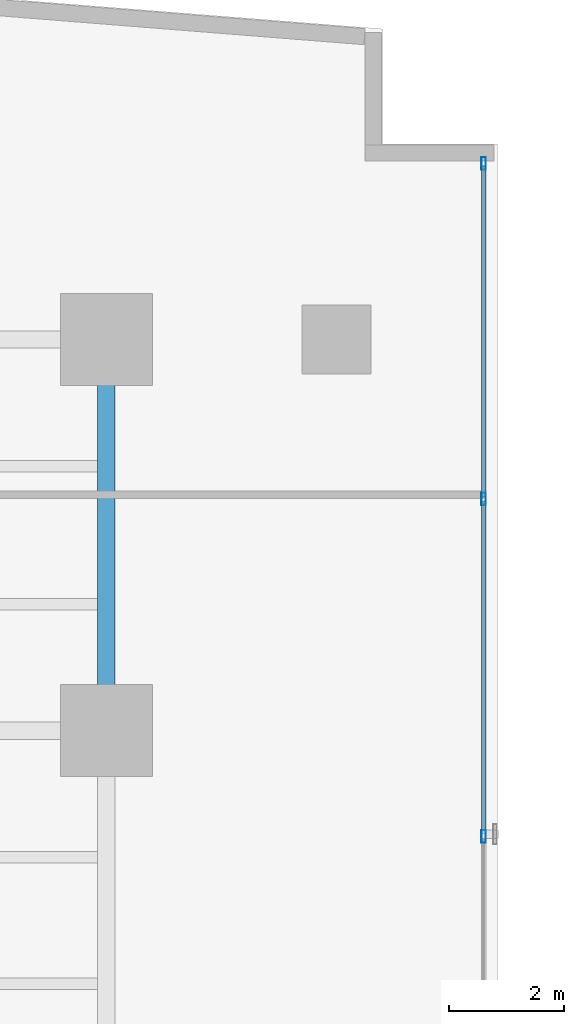
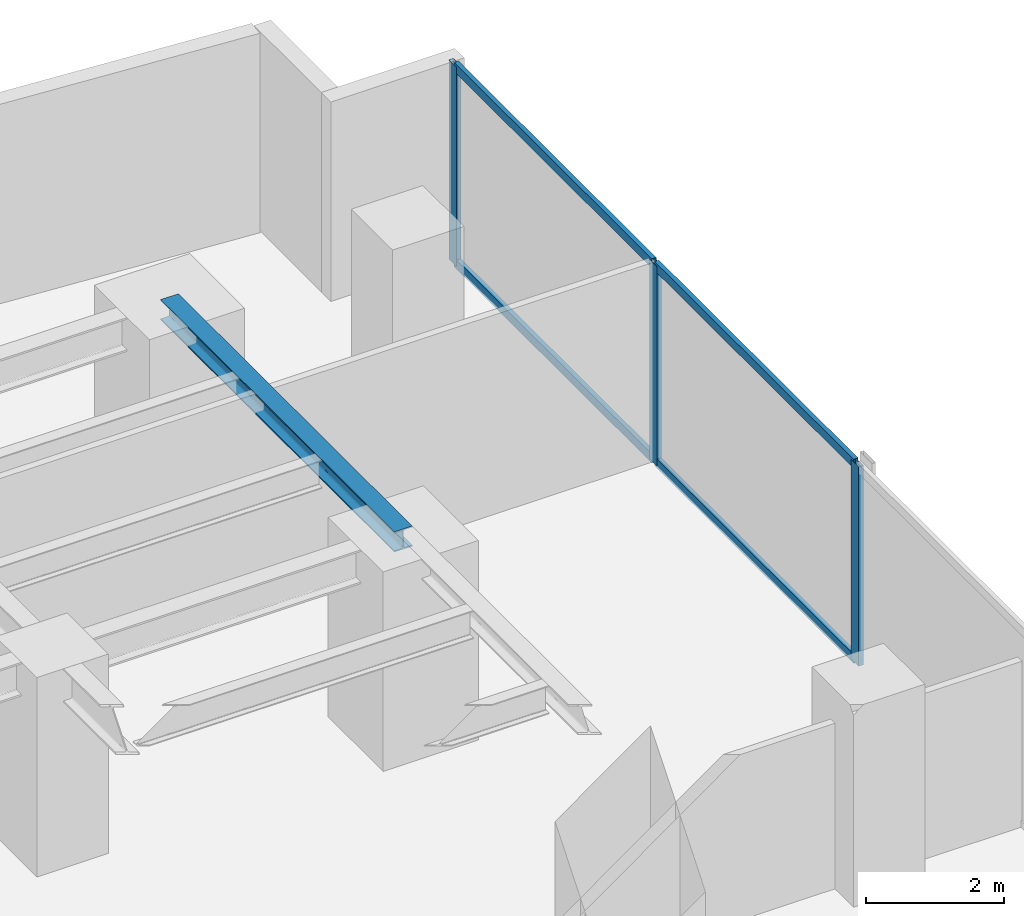
# One storey, part 19 of 30: 7 members, 1 beam, 1 element without a shape of its own.
"""IFC4 building model written with IfcOpenShell, lengths in metres."""

import ifcopenshell
import ifcopenshell.guid

model = None  # the IFC model being written
_history = None  # IfcOwnerHistory: only IFC2X3 demands one
_inside = {}  # id of a spatial element -> (the spatial element, [elements in it])
_under = {}  # id of a project, library or spatial element -> (it, [spatial elements below it])
_declared = {}  # id of a project -> (the project, [libraries it declares])
_typed = {}  # id of a type object -> (the type object, [elements of that type])
_made_of = {}  # id of a material, layer set ... -> (it, [elements and type objects made of it])


def new_model(schema):
    """Start an empty IFC model of exactly this schema.

    Asked for "IFC4X3", IfcOpenShell would pick the latest addendum, in which some entities
    have other attributes; the version numbers below select the first issue.
    IFC2X3 requires an IfcOwnerHistory on every rooted entity: one is made here for all.
    """
    global model, _history
    if schema == "IFC4X3":
        model = ifcopenshell.file(schema_version=(4, 3, 0, 0))
    else:
        model = ifcopenshell.file(schema=schema)
    _inside.clear()
    _under.clear()
    _declared.clear()
    _typed.clear()
    _made_of.clear()
    _history = None
    if model.schema == "IFC2X3":
        org = make("IfcOrganization", Name="unknown")
        user = make(
            "IfcPersonAndOrganization",
            ThePerson=make("IfcPerson", FamilyName="unknown"),
            TheOrganization=org,
        )
        app = make(
            "IfcApplication",
            ApplicationDeveloper=org,
            Version="unknown",
            ApplicationFullName="unknown",
            ApplicationIdentifier="unknown",
        )
        _history = make(
            "IfcOwnerHistory",
            OwningUser=user,
            OwningApplication=app,
            ChangeAction="ADDED",
            CreationDate=0,
        )
    return model


def make(cls, **values):
    """One entity of the class cls with the attributes given. An attribute that is None is left unset."""
    return model.create_entity(
        cls, **{name: value for name, value in values.items() if value is not None}
    )


def rooted(cls, **values):
    """An entity with a GlobalId (a new one), such as an element, a storey or a relation."""
    return make(cls, GlobalId=ifcopenshell.guid.new(), OwnerHistory=_history, **values)


def si_unit(unit_type, name, prefix=None):
    """IfcSIUnit, for example si_unit("LENGTHUNIT", "METRE", prefix="MILLI")."""
    return make("IfcSIUnit", UnitType=unit_type, Prefix=prefix, Name=name)


def assignment(units):
    """IfcUnitAssignment: the units of a project."""
    return None if units is None else make("IfcUnitAssignment", Units=units)


def point(xyz):
    """IfcCartesianPoint."""
    return None if xyz is None else make("IfcCartesianPoint", Coordinates=xyz)


def direction(xyz):
    """IfcDirection."""
    return None if xyz is None else make("IfcDirection", DirectionRatios=xyz)


def frame(location, z_axis=None, x_axis=None):
    """IfcAxis2Placement3D, a coordinate frame: its origin and axes. An axis left out is left unset."""
    return make(
        "IfcAxis2Placement3D",
        Location=point(location),
        Axis=direction(z_axis),
        RefDirection=direction(x_axis),
    )


def frame_2d(location, x_axis=None):
    """IfcAxis2Placement2D, a coordinate frame in the plane: its origin and x axis."""
    return make(
        "IfcAxis2Placement2D", Location=point(location), RefDirection=direction(x_axis)
    )


def origin():
    """The frame at (0, 0, 0) with its axes left unset."""
    return frame((0.0, 0.0, 0.0))


def origin_with_axes():
    """The frame at (0, 0, 0) with the z axis (0, 0, 1) and the x axis (1, 0, 0) written out."""
    return frame((0.0, 0.0, 0.0), z_axis=(0.0, 0.0, 1.0), x_axis=(1.0, 0.0, 0.0))


def origin_2d():
    """The frame at (0, 0) in the plane with its x axis left unset."""
    return frame_2d((0.0, 0.0))


def place(relative_to, where):
    """IfcLocalPlacement: puts the frame where relative to a parent placement (None: the world)."""
    return make(
        "IfcLocalPlacement", PlacementRelTo=relative_to, RelativePlacement=where
    )


def context(
    kind, dimensions, precision=None, world=None, true_north=None, identifier=None
):
    """IfcGeometricRepresentationContext, for example the 3D "Model" context."""
    return make(
        "IfcGeometricRepresentationContext",
        ContextIdentifier=identifier,
        ContextType=kind,
        CoordinateSpaceDimension=dimensions,
        Precision=precision,
        WorldCoordinateSystem=world,
        TrueNorth=true_north,
    )


def subcontext(parent, identifier, kind, view, scale=None):
    """IfcGeometricRepresentationSubContext, for example "Body" below "Model"."""
    return make(
        "IfcGeometricRepresentationSubContext",
        ContextIdentifier=identifier,
        ContextType=kind,
        ParentContext=parent,
        TargetScale=scale,
        TargetView=view,
    )


def project(units=None, contexts=None):
    """IfcProject with its units and contexts."""
    return rooted(
        "IfcProject",
        Name="project",
        RepresentationContexts=contexts,
        UnitsInContext=assignment(units),
    )


def spatial(cls, under=None, at=None, **own):
    """A site, building, storey or space (cls), placed at a placement, below another one or the project."""
    s = rooted(cls, ObjectPlacement=at, **own)
    if under is not None:
        _under.setdefault(under.id(), (under, []))[1].append(s)
    return s


def profile(cls, at=None, kind="AREA", **sizes):
    """A parametric profile (cls). Its sizes go by their IFC names, for example OverallWidth=200.0."""
    return make(cls, ProfileType=kind, Position=at, **sizes)


def hollow_rectangle(**sizes):
    """IfcRectangleHollowProfileDef."""
    return profile("IfcRectangleHollowProfileDef", **sizes)


def i_section(**sizes):
    """IfcIShapeProfileDef."""
    return profile("IfcIShapeProfileDef", **sizes)


def extrude(swept, where, along, depth):
    """IfcExtrudedAreaSolid: the profile swept, set in the frame where, extruded along a direction by depth."""
    return make(
        "IfcExtrudedAreaSolid",
        SweptArea=swept,
        Position=where,
        ExtrudedDirection=direction(along),
        Depth=depth,
    )


def shape(context_of_items, identifier, shape_type, items):
    """IfcShapeRepresentation: the items that make up one representation, for example the "Body"."""
    return make(
        "IfcShapeRepresentation",
        ContextOfItems=context_of_items,
        RepresentationIdentifier=identifier,
        RepresentationType=shape_type,
        Items=items,
    )


def source(mapping_origin, context_of_items, identifier, shape_type, items):
    """IfcRepresentationMap: a shape defined once, which mapped items show again and again."""
    return make(
        "IfcRepresentationMap",
        MappingOrigin=mapping_origin,
        MappedRepresentation=shape(context_of_items, identifier, shape_type, items),
    )


def transform(
    local_origin,
    x_axis=None,
    y_axis=None,
    z_axis=None,
    scale=None,
    scale2=None,
    scale3=None,
    uniform=True,
):
    """IfcCartesianTransformationOperator3D, or its non-uniform kind. x_axis, y_axis, z_axis: its Axis1, 2, 3."""
    if uniform:
        return make(
            "IfcCartesianTransformationOperator3D",
            Axis1=direction(x_axis),
            Axis2=direction(y_axis),
            LocalOrigin=point(local_origin),
            Scale=scale,
            Axis3=direction(z_axis),
        )
    return make(
        "IfcCartesianTransformationOperator3DnonUniform",
        Axis1=direction(x_axis),
        Axis2=direction(y_axis),
        LocalOrigin=point(local_origin),
        Scale=scale,
        Axis3=direction(z_axis),
        Scale2=scale2,
        Scale3=scale3,
    )


def mapped(mapping_source, mapping_target):
    """IfcMappedItem: shows the shape of a source again, moved by a transform."""
    return make(
        "IfcMappedItem", MappingSource=mapping_source, MappingTarget=mapping_target
    )


def material(Name=None, Category=None):
    """IfcMaterial."""
    return make("IfcMaterial", Name=Name, Category=Category)


def layer(
    of_material, thickness, ventilated=None, Name=None, Category=None, Priority=None
):
    """IfcMaterialLayer: one layer of a wall or slab, of a material (None: an air gap)."""
    return make(
        "IfcMaterialLayer",
        Material=of_material,
        LayerThickness=thickness,
        IsVentilated=ventilated,
        Name=Name,
        Category=Category,
        Priority=Priority,
    )


def layer_set(layers, Name=None):
    """IfcMaterialLayerSet."""
    return make("IfcMaterialLayerSet", MaterialLayers=layers, LayerSetName=Name)


def material_profile(
    of_material, cross_section, Name=None, Category=None, Priority=None
):
    """IfcMaterialProfile: a cross section and its material."""
    return make(
        "IfcMaterialProfile",
        Name=Name,
        Material=of_material,
        Profile=cross_section,
        Priority=Priority,
        Category=Category,
    )


def profile_set(profiles, Name=None, composite=None):
    """IfcMaterialProfileSet."""
    return make(
        "IfcMaterialProfileSet",
        Name=Name,
        MaterialProfiles=profiles,
        CompositeProfile=composite,
    )


def made_of(thing, what):
    """Note that an element or type object is made of a material, layer set ...; save() writes the relation."""
    if what is not None:
        _made_of.setdefault(what.id(), (what, []))[1].append(thing)
    return thing


def type_object(cls, material=None, **own):
    """A type object (cls), such as IfcWallType, which elements share."""
    return made_of(rooted(cls, **own), material)


def element(
    cls,
    number,
    at=None,
    inside=None,
    cuts=None,
    type_object=None,
    material=None,
    context=None,
    identifier="Body",
    shape_type=None,
    held_by="IfcProductDefinitionShape",
    body=None,
    shapes=None,
    **own,
):
    """One element of the class cls, such as IfcWall. Its Tag is "e" and its number.

    at: its placement. inside: the storey or other place that contains it. cuts: it is an
    opening in that element (IfcRelVoidsElement). A single representation is given by context,
    identifier, shape_type and body (its items); several are given by shapes. held_by: the class
    of the entity that holds the representations. save() writes the other relations.
    """
    e = rooted(cls, Tag="e%d" % number, ObjectPlacement=at, **own)
    if body is not None:
        shapes = [shape(context, identifier, shape_type, body)]
    if shapes is not None:
        e.Representation = make(held_by, Representations=shapes)
    if inside is not None:
        _inside.setdefault(inside.id(), (inside, []))[1].append(e)
    if cuts is not None:
        rooted(
            "IfcRelVoidsElement", RelatingBuildingElement=cuts, RelatedOpeningElement=e
        )
    if type_object is not None:
        _typed.setdefault(type_object.id(), (type_object, []))[1].append(e)
    return made_of(e, material)


def aggregate(whole, parts):
    """IfcRelAggregates: a whole, such as a stair, and the parts it consists of."""
    return rooted("IfcRelAggregates", RelatingObject=whole, RelatedObjects=parts)


def save(model, path):
    """Write the relations noted so far, then the file.

    IfcRelAggregates (storeys below a building ...), IfcRelContainedInSpatialStructure (elements
    in a storey), IfcRelDefinesByType, IfcRelAssociatesMaterial and IfcRelDeclares: one each for
    every whole, place, type object, material and project.
    """
    for whole, parts in _under.values():
        aggregate(whole, parts)
    for where, things in _inside.values():
        rooted(
            "IfcRelContainedInSpatialStructure",
            RelatedElements=things,
            RelatingStructure=where,
        )
    for kind, things in _typed.values():
        rooted("IfcRelDefinesByType", RelatedObjects=things, RelatingType=kind)
    for what, things in _made_of.values():
        rooted("IfcRelAssociatesMaterial", RelatedObjects=things, RelatingMaterial=what)
    for by, libraries in _declared.values():
        rooted("IfcRelDeclares", RelatingContext=by, RelatedDefinitions=libraries)
    model.write(path)


model = new_model("IFC4")

# Units and contexts
model_context = context("Model", 3, precision=1e-05, world=origin(), true_north=direction((0.0, 1.0)))
body_context = subcontext(model_context, "Body", "Model", "MODEL_VIEW")
ifc_project = project(units=[si_unit("LENGTHUNIT", "METRE"), si_unit("AREAUNIT", "SQUARE_METRE"), si_unit("VOLUMEUNIT", "CUBIC_METRE"), si_unit("PLANEANGLEUNIT", "RADIAN"), si_unit("MASSUNIT", "GRAM", prefix="KILO")], contexts=[model_context])

# Site, building, storey
site_placement = place(None, origin())
site = spatial("IfcSite", under=ifc_project, at=site_placement, CompositionType="ELEMENT")
building_placement = place(site_placement, origin())
building = spatial("IfcBuilding", under=site, at=building_placement, Name="Kolvaren Waterfront Exchange", CompositionType="ELEMENT")
storey_placement = place(building_placement, frame((0.0, 0.0, 71.39990234375)))
storey = spatial("IfcBuildingStorey", under=building, at=storey_placement, Name="L18", CompositionType="ELEMENT", Elevation=71.39990234375)

# Beam
ifc_material_1 = material(Name="Steel S355", Category="steel")
ifc_material_profile_1 = material_profile(ifc_material_1, i_section(OverallWidth=0.300048828125, OverallDepth=0.360107421875, WebThickness=0.012451171875, FlangeThickness=0.0224609375, FilletRadius=0.027099609375, at=origin_2d()), Name="HEB360")
ifc_profile_set_1 = profile_set([ifc_material_profile_1], Name="Steel S355")
beam_type = type_object("IfcBeamType", Name="STR-BM-HEB360", PredefinedType="SPANDREL", material=ifc_profile_set_1)
beam_placement = place(storey_placement, frame((18.800048828125, 37.800048828125, 3.360107421875), z_axis=(0.0, 1.0, 0.0), x_axis=(-1.0, 0.0, 0.0)))
element("IfcBeam", 1, at=beam_placement, inside=storey, type_object=beam_type, Name="L18 north-arm edge beam 3", PredefinedType="SPANDREL", context=body_context, shape_type="SweptSolid", body=[
    extrude(i_section(OverallWidth=0.300048828125, OverallDepth=0.360107421875, WebThickness=0.012451171875, FlangeThickness=0.0224609375, FilletRadius=0.027099609375, at=origin_2d()), origin(), (0.0, 0.0, 1.0), 6.800048828125),
])

# Curtain wall, members
ifc_material_2 = material(Name="Anodised bronze aluminium 6063-T6", Category="aluminium")
ifc_layer = layer(ifc_material_2, 0.219970703125, Name="Anodised bronze aluminium 6063-T6")
ifc_layer_set = layer_set([ifc_layer], Name="Anodised bronze aluminium 6063-T6")
curtain_wall_type = type_object("IfcCurtainWallType", Name="ARC-CW-SYS1", PredefinedType="USERDEFINED", material=ifc_layer_set)
curtain_wall_placement = place(storey_placement, origin())
curtain_wall = element("IfcCurtainWall", 2, at=curtain_wall_placement, inside=storey, type_object=curtain_wall_type, Name="L18 stick curtain wall CW1 (CW-L18-NE)", ObjectType="STICK CURTAIN WALL", PredefinedType="USERDEFINED")
ifc_material_3 = material(Name="Anodised aluminium 6063-T6", Category="aluminium")
ifc_material_profile_2 = material_profile(ifc_material_3, hollow_rectangle(XDim=0.074951171875, YDim=0.159912109375, WallThickness=0.00439453125, at=origin_2d()), Name="ALU-TRN-160x75x4.5")
ifc_profile_set_2 = profile_set([ifc_material_profile_2], Name="Anodised aluminium 6063-T6")
member_type_1 = type_object("IfcMemberType", Name="ARC-CWT-160", PredefinedType="USERDEFINED", material=ifc_profile_set_2)
shared_shape_1 = source(origin_with_axes(), body_context, "Body", "SweptSolid", [
    extrude(hollow_rectangle(XDim=0.074951171875, YDim=0.159912109375, WallThickness=0.00439453125, at=origin_2d()), origin(), (0.0, 0.0, 1.0), 5.75),
])
member_1_placement = place(storey_placement, frame((25.360107421875, 41.8701171875, 0.03759765625), z_axis=(0.0, 1.0, 0.0), x_axis=(-1.0, 0.0, 0.0)))
member_1 = element("IfcMember", 3, at=member_1_placement, type_object=member_type_1, Name="CW1 transom 3.1", ObjectType="TRANSOM", PredefinedType="USERDEFINED", context=body_context, shape_type="MappedRepresentation", body=[
    mapped(shared_shape_1, transform((0.0, 0.0, 0.0), x_axis=(1.0, 0.0, 0.0), y_axis=(0.0, 1.0, 0.0), z_axis=(0.0, 0.0, 1.0), scale=1.0)),
])
member_2_placement = place(storey_placement, frame((25.360107421875, 41.8701171875, 3.502685546875), z_axis=(0.0, 1.0, 0.0), x_axis=(-1.0, 0.0, 0.0)))
member_2 = element("IfcMember", 4, at=member_2_placement, type_object=member_type_1, Name="CW1 transom 3.2", ObjectType="TRANSOM", PredefinedType="USERDEFINED", context=body_context, shape_type="MappedRepresentation", body=[
    mapped(shared_shape_1, transform((0.0, 0.0, 0.0), x_axis=(1.0, 0.0, 0.0), y_axis=(0.0, 1.0, 0.0), z_axis=(0.0, 0.0, 1.0), scale=1.0)),
])
shared_shape_2 = source(origin_with_axes(), body_context, "Body", "SweptSolid", [
    extrude(hollow_rectangle(XDim=0.074951171875, YDim=0.159912109375, WallThickness=0.00439453125, at=origin_2d()), origin(), (0.0, 0.0, 1.0), 5.7900390625),
])
member_3_placement = place(storey_placement, frame((25.360107421875, 36.0, 0.03759765625), z_axis=(0.0, 1.0, 0.0), x_axis=(-1.0, 0.0, 0.0)))
member_3 = element("IfcMember", 5, at=member_3_placement, type_object=member_type_1, Name="CW1 transom 2.1", ObjectType="TRANSOM", PredefinedType="USERDEFINED", context=body_context, shape_type="MappedRepresentation", body=[
    mapped(shared_shape_2, transform((0.0, 0.0, 0.0), x_axis=(1.0, 0.0, 0.0), y_axis=(0.0, 1.0, 0.0), z_axis=(0.0, 0.0, 1.0), scale=1.0)),
])
member_4_placement = place(storey_placement, frame((25.360107421875, 36.0, 3.502685546875), z_axis=(0.0, 1.0, 0.0), x_axis=(-1.0, 0.0, 0.0)))
member_4 = element("IfcMember", 6, at=member_4_placement, type_object=member_type_1, Name="CW1 transom 2.2", ObjectType="TRANSOM", PredefinedType="USERDEFINED", context=body_context, shape_type="MappedRepresentation", body=[
    mapped(shared_shape_2, transform((0.0, 0.0, 0.0), x_axis=(1.0, 0.0, 0.0), y_axis=(0.0, 1.0, 0.0), z_axis=(0.0, 0.0, 1.0), scale=1.0)),
])
ifc_material_profile_3 = material_profile(ifc_material_3, hollow_rectangle(XDim=0.080078125, YDim=0.219970703125, WallThickness=0.0048828125, at=origin_2d()), Name="ALU-MUL-220x80x5")
ifc_profile_set_3 = profile_set([ifc_material_profile_3], Name="Anodised aluminium 6063-T6")
member_type_2 = type_object("IfcMemberType", Name="ARC-CWM-220", PredefinedType="MULLION", material=ifc_profile_set_3)
shared_shape_3 = source(origin_with_axes(), body_context, "Body", "SweptSolid", [
    extrude(hollow_rectangle(XDim=0.080078125, YDim=0.219970703125, WallThickness=0.0048828125, at=origin_2d()), origin(), (0.0, 0.0, 1.0), 3.5400390625),
])
member_5_placement = place(storey_placement, frame((25.360107421875, 35.9599609375, 0.0), z_axis=(0.0, 0.0, 1.0), x_axis=(-1.0, 0.0, 0.0)))
member_5 = element("IfcMember", 7, at=member_5_placement, type_object=member_type_2, Name="CW1 mullion 2", PredefinedType="MULLION", context=body_context, shape_type="MappedRepresentation", body=[
    mapped(shared_shape_3, transform((0.0, 0.0, 0.0), x_axis=(1.0, 0.0, 0.0), y_axis=(0.0, 1.0, 0.0), z_axis=(0.0, 0.0, 1.0), scale=1.0)),
])
member_6_placement = place(storey_placement, frame((25.360107421875, 41.830078125, 0.0), z_axis=(0.0, 0.0, 1.0), x_axis=(-1.0, 0.0, 0.0)))
member_6 = element("IfcMember", 8, at=member_6_placement, type_object=member_type_2, Name="CW1 mullion 3", PredefinedType="MULLION", context=body_context, shape_type="MappedRepresentation", body=[
    mapped(shared_shape_3, transform((0.0, 0.0, 0.0), x_axis=(1.0, 0.0, 0.0), y_axis=(0.0, 1.0, 0.0), z_axis=(0.0, 0.0, 1.0), scale=1.0)),
])
member_7_placement = place(storey_placement, frame((25.360107421875, 47.659912109375, 0.0), z_axis=(0.0, 0.0, 1.0), x_axis=(-1.0, 0.0, 0.0)))
member_7 = element("IfcMember", 9, at=member_7_placement, type_object=member_type_2, Name="CW1 mullion 4", PredefinedType="MULLION", context=body_context, shape_type="MappedRepresentation", body=[
    mapped(shared_shape_3, transform((0.0, 0.0, 0.0), x_axis=(1.0, 0.0, 0.0), y_axis=(0.0, 1.0, 0.0), z_axis=(0.0, 0.0, 1.0), scale=1.0)),
])
aggregate(curtain_wall, [member_5, member_6, member_7, member_3, member_4, member_1, member_2])

save(model, "model.ifc")
